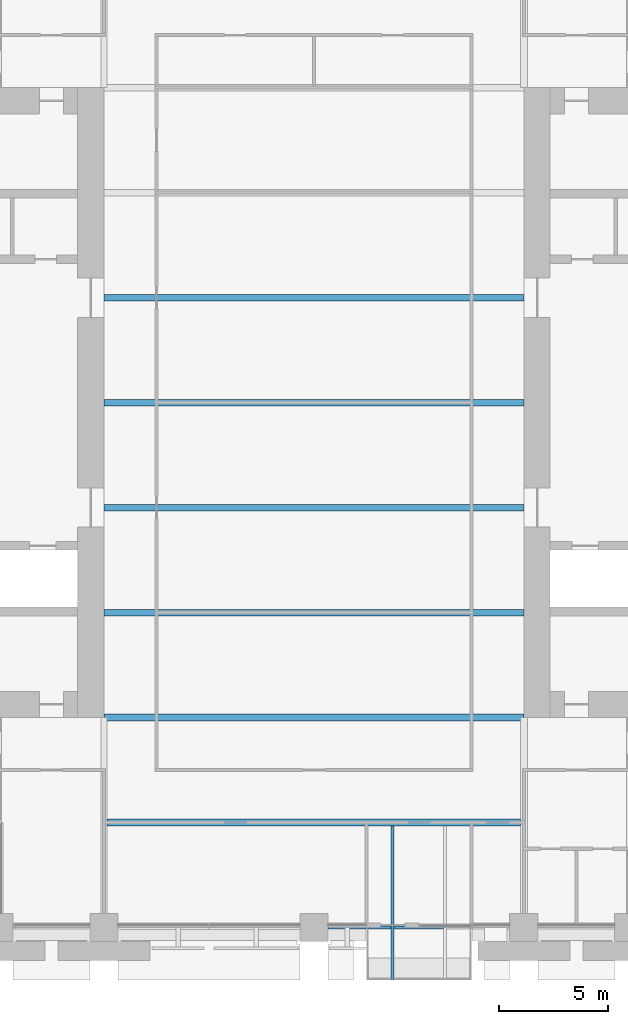
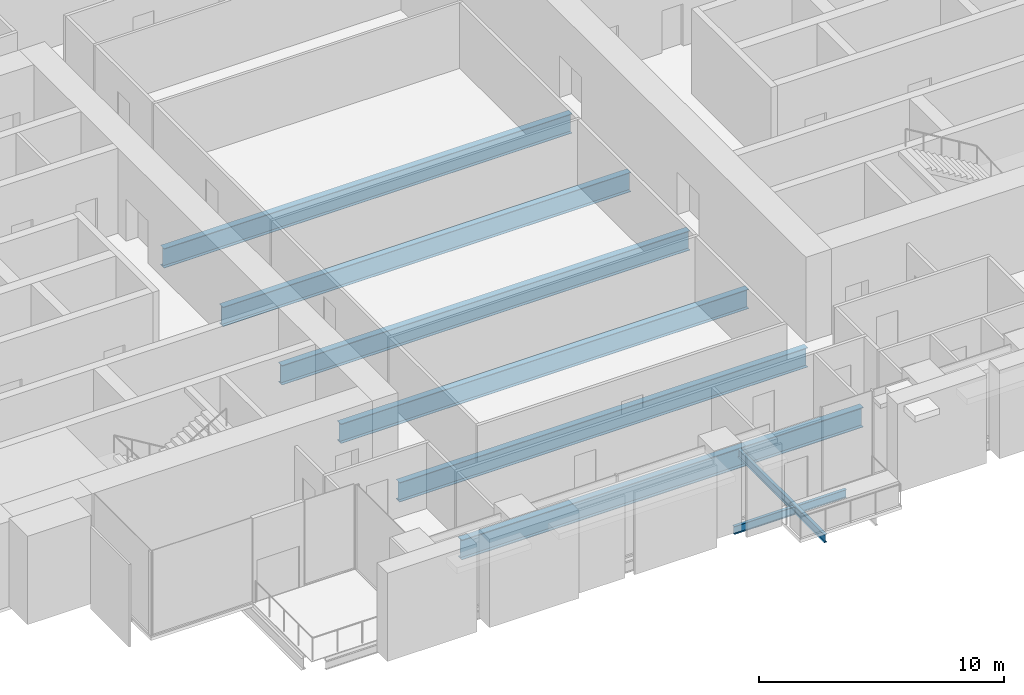
# One storey, part 3 of 15: 9 beams.
"""IFC4 building model written with IfcOpenShell, lengths in metres."""

from ifc_helpers import new_model, si_unit, direction, frame, origin, origin_2d, place, context, subcontext, project, spatial, i_section, extrude, material, material_profile, profile_set, type_object, element, save


model = new_model("IFC4")

# Units and contexts
model_context = context("Model", 3, precision=1e-05, world=origin(), true_north=direction((0.0, 1.0)))
body_context = subcontext(model_context, "Body", "Model", "MODEL_VIEW")
ifc_project = project(units=[si_unit("LENGTHUNIT", "METRE"), si_unit("AREAUNIT", "SQUARE_METRE"), si_unit("VOLUMEUNIT", "CUBIC_METRE"), si_unit("PLANEANGLEUNIT", "RADIAN"), si_unit("MASSUNIT", "GRAM", prefix="KILO")], contexts=[model_context])

# Site, building, storey
site_placement = place(None, origin())
site = spatial("IfcSite", under=ifc_project, at=site_placement, CompositionType="ELEMENT")
building_placement = place(site_placement, origin())
building = spatial("IfcBuilding", under=site, at=building_placement, Name="Baori Bourse Tower", CompositionType="ELEMENT")
storey_placement = place(building_placement, frame((0.0, 0.0, 34.60009765625)))
storey = spatial("IfcBuildingStorey", under=building, at=storey_placement, Name="L06", CompositionType="ELEMENT", Elevation=34.60009765625)

# Beams
ifc_material_1 = material(Name="Steel A992 Gr 50", Category="steel")
ifc_material_profile_1 = material_profile(ifc_material_1, i_section(OverallWidth=0.140380859375, OverallDepth=0.40380859375, WebThickness=0.007080078125, FlangeThickness=0.01123046875, at=origin_2d()), Name="W16x31")
ifc_profile_set_1 = profile_set([ifc_material_profile_1], Name="Steel A992 Gr 50")
beam_type_1 = type_object("IfcBeamType", Name="Balcony beam W16x31", PredefinedType="BEAM", material=ifc_profile_set_1)
beam_1_placement = place(storey_placement, frame((32.39990234375, -2.39990234375, -0.362060546875), z_axis=(0.0, 1.0, 0.0), x_axis=(-1.0, 0.0, 0.0)))
element("IfcBeam", 1, at=beam_1_placement, inside=storey, type_object=beam_type_1, Name="Balcony beam L06", PredefinedType="BEAM", context=body_context, shape_type="SweptSolid", body=[
    extrude(i_section(OverallWidth=0.140380859375, OverallDepth=0.40380859375, WebThickness=0.007080078125, FlangeThickness=0.01123046875, at=origin_2d()), origin(), (0.0, 0.0, 1.0), 7.050048828125),
])
ifc_material_2 = material(Name="Steel A992 Gr 50", Category="steel")
ifc_material_profile_2 = material_profile(ifc_material_2, i_section(OverallWidth=0.140380859375, OverallDepth=0.40380859375, WebThickness=0.007080078125, FlangeThickness=0.01123046875, at=origin_2d()), Name="W16x31")
ifc_profile_set_2 = profile_set([ifc_material_profile_2], Name="Steel A992 Gr 50")
beam_type_2 = type_object("IfcBeamType", Name="Edge beam W16x31", PredefinedType="BEAM", material=ifc_profile_set_2)
beam_2_placement = place(storey_placement, frame((29.449951171875, 0.0, -0.362060546875), z_axis=(1.0, 0.0, 0.0), x_axis=(0.0, 1.0, 0.0)))
element("IfcBeam", 2, at=beam_2_placement, inside=storey, type_object=beam_type_2, Name="Edge beam L06", PredefinedType="BEAM", context=body_context, shape_type="SweptSolid", body=[
    extrude(i_section(OverallWidth=0.140380859375, OverallDepth=0.40380859375, WebThickness=0.007080078125, FlangeThickness=0.01123046875, at=origin_2d()), origin(), (0.0, 0.0, 1.0), 2.8798828125),
])
beam_3_placement = place(storey_placement, frame((32.47021484375, 0.0, -0.362060546875), z_axis=(1.0, 0.0, 0.0), x_axis=(0.0, 1.0, 0.0)))
element("IfcBeam", 3, at=beam_3_placement, inside=storey, type_object=beam_type_2, Name="Edge beam L06", PredefinedType="BEAM", context=body_context, shape_type="SweptSolid", body=[
    extrude(i_section(OverallWidth=0.140380859375, OverallDepth=0.40380859375, WebThickness=0.007080078125, FlangeThickness=0.01123046875, at=origin_2d()), origin(), (0.0, 0.0, 1.0), 2.259521484375),
])
ifc_material_3 = material(Name="Steel A992 Gr 50", Category="steel")
ifc_material_profile_3 = material_profile(ifc_material_3, i_section(OverallWidth=0.2998046875, OverallDepth=0.97021484375, WebThickness=0.01611328125, FlangeThickness=0.02099609375, at=origin_2d()), Name="W40x149")
ifc_profile_set_3 = profile_set([ifc_material_profile_3], Name="Steel A992 Gr 50")
beam_type_3 = type_object("IfcBeamType", Name="Floor beam W40x149", PredefinedType="BEAM", material=ifc_profile_set_3)
for number, where, z_axis, x_axis, name in (
    (4, (19.199951171875, 9.60009765625, -0.645263671875), (1.0, 0.0, 0.0), (0.0, 1.0, 0.0), "Floor beam L06"),
    (5, (19.199951171875, 14.39990234375, -0.645263671875), (1.0, 0.0, 0.0), (0.0, 1.0, 0.0), "Floor beam L06"),
    (6, (19.199951171875, 19.199951171875, -0.645263671875), (1.0, 0.0, 0.0), (0.0, 1.0, 0.0), "Floor beam L06"),
    (7, (19.199951171875, 24.0, -0.645263671875), (1.0, 0.0, 0.0), (0.0, 1.0, 0.0), "Floor beam L06"),
    (8, (19.199951171875, 28.800048828125, -0.645263671875), (1.0, 0.0, 0.0), (0.0, 1.0, 0.0), "Floor beam L06"),
):
    element("IfcBeam", number, at=place(storey_placement, frame(where, z_axis=z_axis, x_axis=x_axis)), inside=storey, type_object=beam_type_3, Name=name, PredefinedType="BEAM", context=body_context, shape_type="SweptSolid", body=[
        extrude(i_section(OverallWidth=0.2998046875, OverallDepth=0.97021484375, WebThickness=0.01611328125, FlangeThickness=0.02099609375, at=origin_2d()), origin(), (0.0, 0.0, 1.0), 19.199951171875),
    ])
ifc_material_4 = material(Name="Steel A992 Gr 50", Category="steel")
ifc_material_profile_4 = material_profile(ifc_material_4, i_section(OverallWidth=0.2998046875, OverallDepth=0.990478515625, WebThickness=0.0166015625, FlangeThickness=0.030517578125, at=origin_2d()), Name="W40x183")
ifc_profile_set_4 = profile_set([ifc_material_profile_4], Name="Steel A992 Gr 50")
beam_type_4 = type_object("IfcBeamType", Name="Floor beam W40x183", PredefinedType="BEAM", material=ifc_profile_set_4)
beam_4_placement = place(storey_placement, frame((19.345947265625, 4.800048828125, -0.655517578125), z_axis=(1.0, 0.0, 0.0), x_axis=(0.0, 1.0, 0.0)))
element("IfcBeam", 9, at=beam_4_placement, inside=storey, type_object=beam_type_4, Name="Floor beam L06", PredefinedType="BEAM", context=body_context, shape_type="SweptSolid", body=[
    extrude(i_section(OverallWidth=0.2998046875, OverallDepth=0.990478515625, WebThickness=0.0166015625, FlangeThickness=0.030517578125, at=origin_2d()), origin(), (0.0, 0.0, 1.0), 18.901611328125),
])

save(model, "model.ifc")
